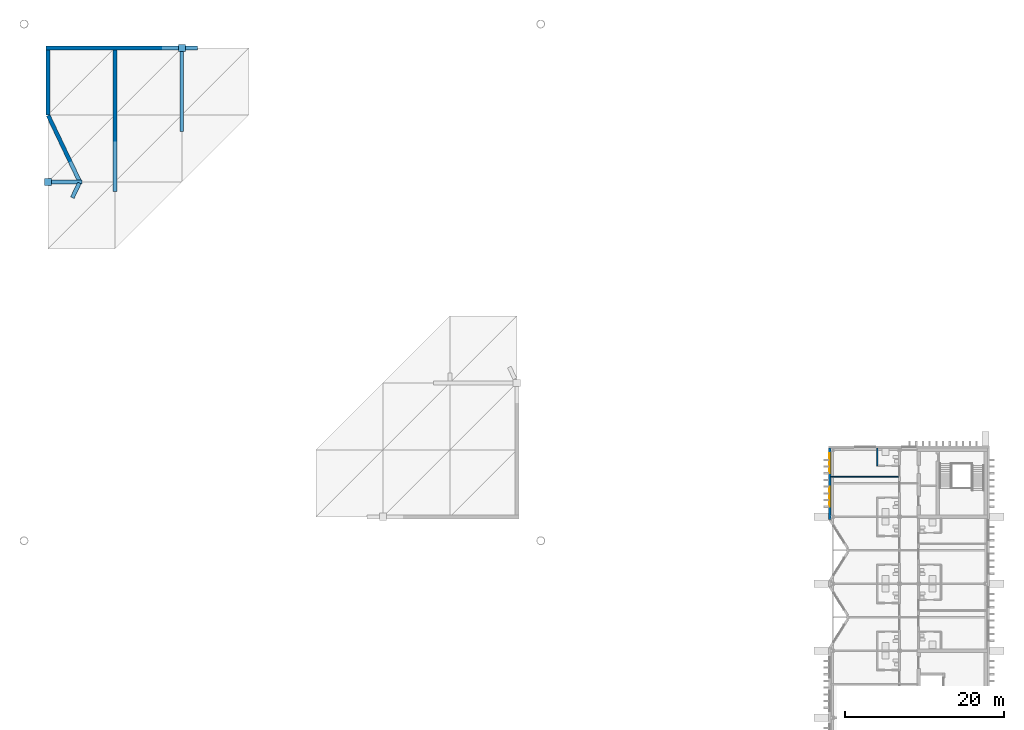
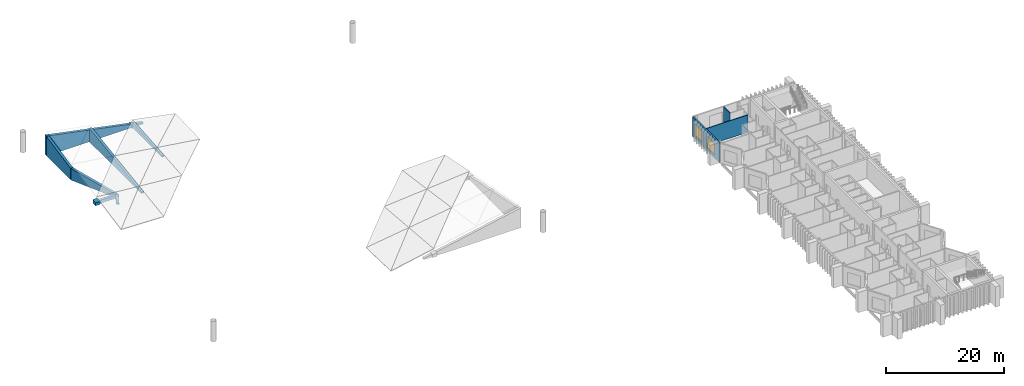
# One storey, part 14 of 17: 13 walls, 2 windows, 2 openings.
"""IFC4 building model written with IfcOpenShell, lengths in metres."""

from ifc_helpers import new_model, si_unit, direction, frame, frame_2d, origin, place, context, subcontext, project, spatial, polyline, rectangle, outline, extrude, material, layer, layer_set, type_object, element, fill, save


model = new_model("IFC4")

# Units and contexts
model_context = context("Model", 3, precision=1e-05, world=origin(), true_north=direction((0.0, 1.0)))
body_context = subcontext(model_context, "Body", "Model", "MODEL_VIEW")
ifc_project = project(units=[si_unit("LENGTHUNIT", "METRE"), si_unit("AREAUNIT", "SQUARE_METRE"), si_unit("VOLUMEUNIT", "CUBIC_METRE"), si_unit("PLANEANGLEUNIT", "RADIAN"), si_unit("MASSUNIT", "GRAM", prefix="KILO")], contexts=[model_context])

# Site, building, storey
site_placement = place(None, origin())
site = spatial("IfcSite", under=ifc_project, at=site_placement, CompositionType="ELEMENT")
building_placement = place(site_placement, origin())
building = spatial("IfcBuilding", under=site, at=building_placement, Name="Cresset Court Congress Hotel", CompositionType="ELEMENT")
storey_placement = place(building_placement, frame((0.0, 0.0, 31.199951171875)))
storey = spatial("IfcBuildingStorey", under=building, at=storey_placement, Name="L07", CompositionType="ELEMENT", Elevation=31.199951171875)

# Wall
ifc_material_1 = material(Name="Gypsum board partition")
ifc_layer_1 = layer(ifc_material_1, 0.14990234375)
ifc_layer_set_1 = layer_set([ifc_layer_1], Name="En-suite wall 150")
wall_type_1 = type_object("IfcWallType", Name="En-suite wall 150", PredefinedType="PARTITIONING", material=ifc_layer_set_1)
wall_1_placement = place(storey_placement, frame((162.800048828125, 65.199951171875, 0.0), z_axis=(0.0, 0.0, 1.0), x_axis=(0.0, 1.0, 0.0)))
element("IfcWall", 1, at=wall_1_placement, inside=storey, type_object=wall_type_1, Name="A.wl.L07.031", PredefinedType="PARTITIONING", context=body_context, shape_type="SweptSolid", body=[
    extrude(rectangle(XDim=2.219970703125, YDim=0.14990234375, at=frame_2d((1.10986328125, 0.0))), origin(), (0.0, 0.0, 1.0), 4.050048828125),
])

# Wall, openings, windows
ifc_material_2 = material(Name="Precast concrete C50", Category="concrete")
ifc_layer_2 = layer(ifc_material_2, 0.280029296875)
ifc_layer_set_2 = layer_set([ifc_layer_2], Name="External wall 280")
wall_type_2 = type_object("IfcWallType", Name="External wall 280", PredefinedType="SOLIDWALL", material=ifc_layer_set_2)
wall_2_placement = place(storey_placement, frame((156.840087890625, 58.449951171875, 0.0), z_axis=(0.0, 0.0, 1.0), x_axis=(0.0, 1.0, 0.0)))
wall_2 = element("IfcWall", 2, at=wall_2_placement, inside=storey, type_object=wall_type_2, Name="A.ew.L07.W.5", PredefinedType="SOLIDWALL", context=body_context, shape_type="SweptSolid", body=[
    extrude(rectangle(XDim=8.969970703125, YDim=0.280029296875, at=frame_2d((4.48486328125, 0.0))), origin(), (0.0, 0.0, 1.0), 4.050048828125),
])
opening_1_placement = place(wall_2_placement, frame((1.610107421875, 0.0, 0.60009765625)))
opening_1 = element("IfcOpeningElement", 3, at=opening_1_placement, cuts=wall_2, Name="Opening NA-07-15", PredefinedType="OPENING", context=body_context, shape_type="SweptSolid", body=[
    extrude(rectangle(XDim=2.52001953125, YDim=2.39990234375, at=frame_2d((1.260009765625, 1.199951171875))), frame((0.0, 0.14990234375, 0.0), z_axis=(0.0, -1.0, 0.0), x_axis=(1.0, 0.0, 0.0)), (0.0, 0.0, 1.0), 0.300048828125),
])
opening_2_placement = place(wall_2_placement, frame((5.81005859375, 0.0, 0.60009765625)))
opening_2 = element("IfcOpeningElement", 4, at=opening_2_placement, cuts=wall_2, Name="Opening NA-07-16", PredefinedType="OPENING", context=body_context, shape_type="SweptSolid", body=[
    extrude(rectangle(XDim=2.52001953125, YDim=2.39990234375, at=frame_2d((1.260009765625, 1.199951171875))), frame((0.0, 0.14990234375, 0.0), z_axis=(0.0, -1.0, 0.0), x_axis=(1.0, 0.0, 0.0)), (0.0, 0.0, 1.0), 0.300048828125),
])
ifc_material_3 = material(Name="Aluminium and glass", Category="aluminium")
window_type = type_object("IfcWindowType", Name="Window 2520x2400", PartitioningType="SINGLE_PANEL", PredefinedType="WINDOW", material=ifc_material_3)
window_1_placement = place(opening_1_placement, origin())
window_1 = element("IfcWindow", 5, at=window_1_placement, inside=storey, type_object=window_type, Name="Window NA-07-15", OverallHeight=2.39990234375, OverallWidth=2.52001953125, PartitioningType="SINGLE_PANEL", PredefinedType="WINDOW", context=body_context, shape_type="SweptSolid", body=[
    extrude(rectangle(XDim=2.52001953125, YDim=2.39990234375, at=frame_2d((1.260009765625, 1.199951171875))), frame((0.0, 0.030029296875, 0.0), z_axis=(0.0, -1.0, 0.0), x_axis=(1.0, 0.0, 0.0)), (0.0, 0.0, 1.0), 0.06005859375),
])
fill(opening_1, window_1)
window_2_placement = place(opening_2_placement, origin())
window_2 = element("IfcWindow", 6, at=window_2_placement, inside=storey, type_object=window_type, Name="Window NA-07-16", OverallHeight=2.39990234375, OverallWidth=2.52001953125, PartitioningType="SINGLE_PANEL", PredefinedType="WINDOW", context=body_context, shape_type="SweptSolid", body=[
    extrude(rectangle(XDim=2.52001953125, YDim=2.39990234375, at=frame_2d((1.260009765625, 1.199951171875))), frame((0.0, 0.030029296875, 0.0), z_axis=(0.0, -1.0, 0.0), x_axis=(1.0, 0.0, 0.0)), (0.0, 0.0, 1.0), 0.06005859375),
])
fill(opening_2, window_2)

# Walls
ifc_material_4 = material(Name="Concrete C50", Category="concrete")
ifc_layer_3 = layer(ifc_material_4, 0.449951171875)
ifc_layer_set_3 = layer_set([ifc_layer_3], Name="Fly-tower wall 450")
wall_type_3 = type_object("IfcWallType", Name="Fly-tower wall 450", PredefinedType="SOLIDWALL", material=ifc_layer_set_3)
wall_3_placement = place(storey_placement, frame((75.60009765625, 107.152099609375, 0.0), z_axis=(0.0, 0.0, 1.0), x_axis=(0.0, 1.0, 0.0)))
element("IfcWall", 7, at=wall_3_placement, inside=storey, type_object=wall_type_3, Name="Wall CS-1L07", PredefinedType="SOLIDWALL", context=body_context, shape_type="SweptSolid", body=[
    extrude(outline(polyline([(0.0, 0.0), (9.997802734375, 0.0), (9.997802734375, 1.159912109375), (0.0, 0.300048828125), (0.0, 0.0)])), frame((0.0, 0.22509765625, 0.0), z_axis=(0.0, -1.0, 0.0), x_axis=(1.0, 0.0, 0.0)), (0.0, 0.0, 1.0), 0.449951171875),
])
ifc_material_5 = material(Name="Gypsum board partition")
ifc_layer_4 = layer(ifc_material_5, 0.14990234375)
ifc_layer_set_4 = layer_set([ifc_layer_4], Name="Guest-room partition 150")
wall_type_4 = type_object("IfcWallType", Name="Guest-room partition 150", PredefinedType="PARTITIONING", material=ifc_layer_set_4)
wall_4_placement = place(storey_placement, frame((156.97998046875, 63.840087890625, 0.0), z_axis=(0.0, 0.0, 1.0), x_axis=(1.0, 0.0, 0.0)))
element("IfcWall", 8, at=wall_4_placement, inside=storey, type_object=wall_type_4, Name="A.wl.L07.065", PredefinedType="PARTITIONING", context=body_context, shape_type="SweptSolid", body=[
    extrude(rectangle(XDim=8.52001953125, YDim=0.14990234375, at=frame_2d((4.260009765625, 0.0))), origin(), (0.0, 0.0, 1.0), 3.60400390625),
])
ifc_material_6 = material(Name="Concrete C50", Category="concrete")
ifc_layer_5 = layer(ifc_material_6, 0.5)
ifc_layer_set_5 = layer_set([ifc_layer_5], Name="Hall inner wall 500")
wall_type_5 = type_object("IfcWallType", Name="Hall inner wall 500", PredefinedType="SOLIDWALL", material=ifc_layer_set_5)
wall_5_placement = place(storey_placement, frame((67.199951171875, 99.5712890625, 0.0), z_axis=(0.0, 0.0, 1.0), x_axis=(0.0, 1.0, 0.0)))
element("IfcWall", 9, at=wall_5_placement, inside=storey, type_object=wall_type_5, Name="Wall CI-WL07", PredefinedType="SOLIDWALL", context=body_context, shape_type="SweptSolid", body=[
    extrude(outline(polyline([(0.0, 0.0), (17.77880859375, 0.0), (17.778564453125, 2.848388671875), (0.0, 0.300048828125), (0.0, 0.0)])), frame((0.0, 0.25, 0.0), z_axis=(0.0, -1.0, 0.0), x_axis=(1.0, 0.0, 0.0)), (0.0, 0.0, 1.0), 0.5),
])
ifc_material_7 = material(Name="Limestone-faced precast concrete C50", Category="masonry")
ifc_layer_6 = layer(ifc_material_7, 0.5)
ifc_layer_set_6 = layer_set([ifc_layer_6], Name="Hall perimeter wall 500")
wall_type_6 = type_object("IfcWallType", Name="Hall perimeter wall 500", PredefinedType="SOLIDWALL", material=ifc_layer_set_6)
wall_6_placement = place(storey_placement, frame((76.050048828125, 117.60009765625, 0.0), z_axis=(0.0, 0.0, 1.0), x_axis=(1.0, 0.0, 0.0)))
element("IfcWall", 10, at=wall_6_placement, inside=storey, type_object=wall_type_6, Name="Wall CW-NL07-4", PredefinedType="SOLIDWALL", context=body_context, shape_type="SweptSolid", body=[
    extrude(outline(polyline([(0.0, 0.0), (1.52880859375, 0.0), (1.52880859375, 0.300048828125), (0.0, 0.60693359375), (0.0, 0.0)])), frame((0.0, 0.25, 0.0), z_axis=(0.0, -1.0, 0.0), x_axis=(1.0, 0.0, 0.0)), (0.0, 0.0, 1.0), 0.5),
])
wall_7_placement = place(storey_placement, frame((58.550048828125, 117.60009765625, 0.0), z_axis=(0.0, 0.0, 1.0), x_axis=(1.0, 0.0, 0.0)))
element("IfcWall", 11, at=wall_7_placement, inside=storey, type_object=wall_type_6, Name="Wall CW-NL07-5", PredefinedType="SOLIDWALL", context=body_context, shape_type="SweptSolid", body=[
    extrude(outline(polyline([(0.0, 0.0), (16.599853515625, 0.0), (16.60009765625, 0.787353515625), (0.0, 4.11865234375), (0.0, 0.0)])), frame((0.0, 0.25, 0.0), z_axis=(0.0, -1.0, 0.0), x_axis=(1.0, 0.0, 0.0)), (0.0, 0.0, 1.0), 0.5),
])
wall_8_placement = place(storey_placement, frame((58.800048828125, 109.199951171875, 0.0), z_axis=(0.0, 0.0, 1.0), x_axis=(0.0, 1.0, 0.0)))
element("IfcWall", 12, at=wall_8_placement, inside=storey, type_object=wall_type_6, Name="Wall CW-WL07-1.1", PredefinedType="SOLIDWALL", context=body_context, shape_type="SweptSolid", body=[
    extrude(outline(polyline([(0.0, 0.0), (8.150146484375, 0.0), (8.14990234375, 4.018310546875), (0.0, 2.3828125), (0.0, 0.0)])), frame((0.0, 0.25, 0.0), z_axis=(0.0, -1.0, 0.0), x_axis=(1.0, 0.0, 0.0)), (0.0, 0.0, 1.0), 0.5),
])
wall_9_placement = place(storey_placement, frame((62.734619140625, 100.9375, 0.0), z_axis=(0.0, 0.0, 1.0), x_axis=(-0.429953375566, 0.902851092284, 0.0)))
element("IfcWall", 13, at=wall_9_placement, inside=storey, type_object=wall_type_6, Name="Wall CW-WL07-1.2", PredefinedType="SOLIDWALL", context=body_context, shape_type="SweptSolid", body=[
    extrude(outline(polyline([(0.0, 0.0), (9.09619140625, 0.0), (9.09619140625, 2.372802734375), (0.0, 0.724853515625), (0.0, 0.0)])), frame((0.0, 0.25, 0.0), z_axis=(0.0, -1.0, 0.0), x_axis=(1.0, 0.0, 0.0)), (0.0, 0.0, 1.0), 0.5),
])
wall_10_placement = place(storey_placement, frame((61.857666015625, 98.8212890625, 0.0), z_axis=(0.0, 0.0, 1.0), x_axis=(0.429989339813, 0.902833964607, 0.0)))
element("IfcWall", 14, at=wall_10_placement, inside=storey, type_object=wall_type_6, Name="Wall CW-WL07-2", PredefinedType="SOLIDWALL", context=body_context, shape_type="SweptSolid", body=[
    extrude(outline(polyline([(0.0, 0.0), (2.03955078125, 0.0), (2.039306640625, 0.669677734375), (0.0, 0.300048828125), (0.0, 0.0)])), frame((0.0, 0.25, 0.0), z_axis=(0.0, -1.0, 0.0), x_axis=(1.0, 0.0, 0.0)), (0.0, 0.0, 1.0), 0.5),
])
wall_11_placement = place(storey_placement, frame((63.050048828125, 100.800048828125, 0.0), z_axis=(0.0, 0.0, 1.0), x_axis=(-1.0, 0.0, 0.0)))
element("IfcWall", 15, at=wall_11_placement, inside=storey, type_object=wall_type_6, Name="Wall CW-WL07-R1", PredefinedType="SOLIDWALL", context=body_context, shape_type="SweptSolid", body=[
    extrude(rectangle(XDim=3.800048828125, YDim=0.5, at=frame_2d((1.89990234375, 0.0))), origin(), (0.0, 0.0, 1.0), 0.64697265625),
])
ifc_material_8 = material(Name="Concrete C50", Category="concrete")
ifc_layer_7 = layer(ifc_material_8, 0.89990234375)
ifc_layer_set_7 = layer_set([ifc_layer_7], Name="Hall pilaster 900x900")
wall_type_7 = type_object("IfcWallType", Name="Hall pilaster 900x900", PredefinedType="SOLIDWALL", material=ifc_layer_set_7)
wall_12_placement = place(storey_placement, frame((76.050048828125, 117.60009765625, 0.0), z_axis=(0.0, 0.0, 1.0), x_axis=(-1.0, 0.0, 0.0)))
element("IfcWall", 16, at=wall_12_placement, inside=storey, type_object=wall_type_7, Name="Pilaster P-N4", PredefinedType="SOLIDWALL", context=body_context, shape_type="SweptSolid", body=[
    extrude(outline(polyline([(0.0, 0.0), (0.900146484375, 0.0), (0.89990234375, 0.787353515625), (0.0, 0.60693359375), (0.0, 0.0)])), frame((0.0, 0.449951171875, 0.0), z_axis=(0.0, -1.0, 0.0), x_axis=(1.0, 0.0, 0.0)), (0.0, 0.0, 1.0), 0.89990234375),
])
wall_13_placement = place(storey_placement, frame((58.800048828125, 101.25, 0.0), z_axis=(0.0, 0.0, 1.0), x_axis=(0.0, -1.0, 0.0)))
element("IfcWall", 17, at=wall_13_placement, inside=storey, type_object=wall_type_7, Name="Pilaster P-W1", PredefinedType="SOLIDWALL", context=body_context, shape_type="SweptSolid", body=[
    extrude(outline(polyline([(0.0, 0.0), (0.89990234375, 0.0), (0.89990234375, 0.60693359375), (0.0, 0.787353515625), (0.0, 0.0)])), frame((0.0, 0.449951171875, 0.0), z_axis=(0.0, -1.0, 0.0), x_axis=(1.0, 0.0, 0.0)), (0.0, 0.0, 1.0), 0.89990234375),
])

save(model, "model.ifc")
